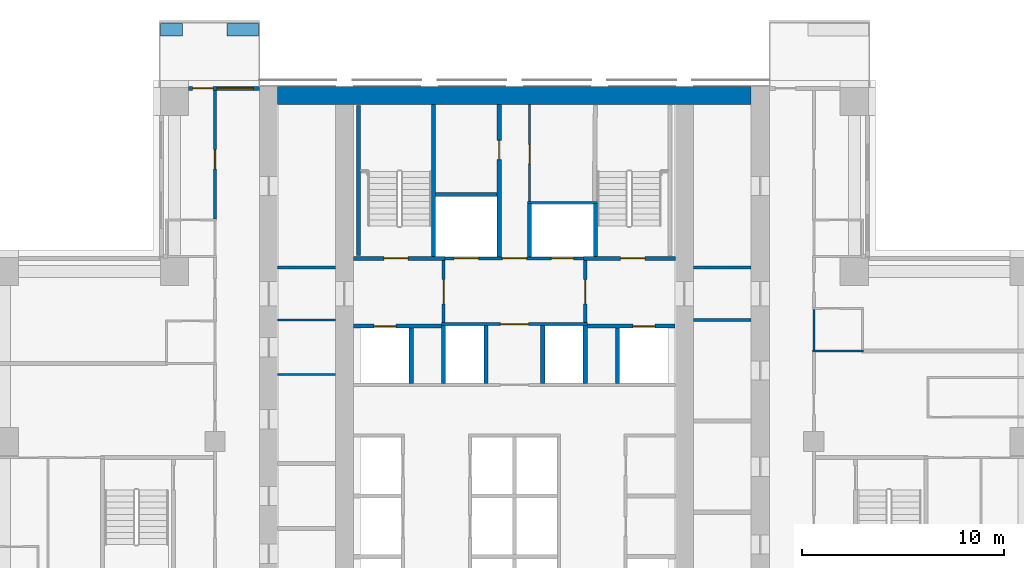
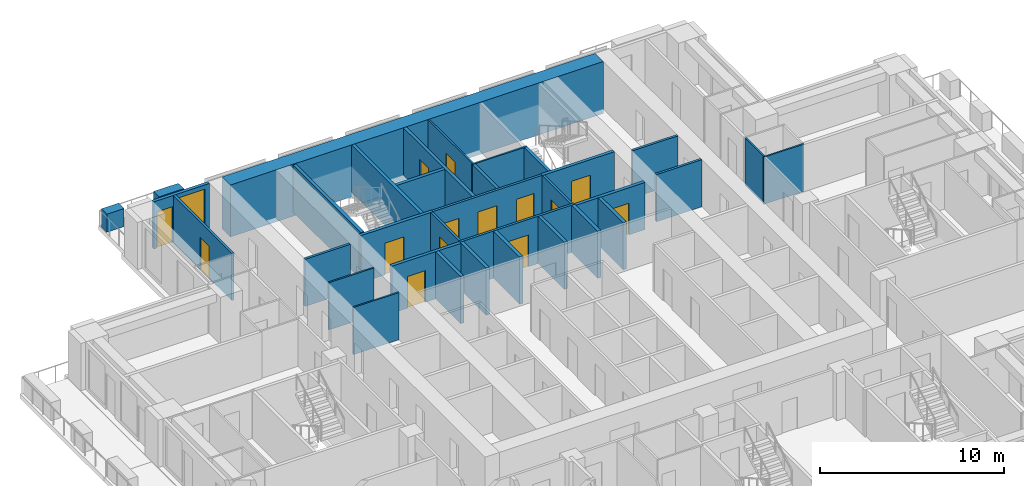
# One storey, part 11 of 17: 34 walls, 14 doors, 1 window, 15 openings.
"""IFC4 building model written with IfcOpenShell, lengths in metres."""

from ifc_helpers import new_model, si_unit, direction, frame, frame_2d, origin, place, context, subcontext, project, spatial, rectangle, extrude, material, layer, layer_set, type_object, element, fill, save


model = new_model("IFC4")

# Units and contexts
model_context = context("Model", 3, precision=1e-05, world=origin(), true_north=direction((0.0, 1.0)))
body_context = subcontext(model_context, "Body", "Model", "MODEL_VIEW")
ifc_project = project(units=[si_unit("LENGTHUNIT", "METRE"), si_unit("AREAUNIT", "SQUARE_METRE"), si_unit("VOLUMEUNIT", "CUBIC_METRE"), si_unit("PLANEANGLEUNIT", "RADIAN"), si_unit("MASSUNIT", "GRAM", prefix="KILO")], contexts=[model_context])

# Site, building, storey
site_placement = place(None, origin())
site = spatial("IfcSite", under=ifc_project, at=site_placement, CompositionType="ELEMENT")
building_placement = place(site_placement, origin())
building = spatial("IfcBuilding", under=site, at=building_placement, Name="Vermilion Ogive Tower", CompositionType="ELEMENT")
storey_placement = place(building_placement, frame((0.0, 0.0, 58.64990234375)))
storey = spatial("IfcBuildingStorey", under=building, at=storey_placement, Name="L13", CompositionType="ELEMENT", Elevation=58.64990234375)

# Walls
ifc_material_1 = material(Name="Gypsum board partition on steel studs", Category="steel")
ifc_layer_1 = layer(ifc_material_1, 0.10009765625)
ifc_layer_set_1 = layer_set([ifc_layer_1], Name="Partition 100 bath")
wall_type_1 = type_object("IfcWallType", Name="Partition 100 bath", PredefinedType="PARTITIONING", material=ifc_layer_set_1)
wall_1_placement = place(storey_placement, frame((14.72509765625, 8.679931640625, 0.0), z_axis=(0.0, 0.0, 1.0), x_axis=(1.0, 0.0, 0.0)))
element("IfcWall", 1, at=wall_1_placement, inside=storey, type_object=wall_type_1, Name="L13-W-W031", PredefinedType="PARTITIONING", context=body_context, shape_type="SweptSolid", body=[
    extrude(rectangle(XDim=2.52490234375, YDim=0.10009765625, at=frame_2d((1.262451171875, 0.0))), origin(), (0.0, 0.0, 1.0), 3.130126953125),
])
wall_2_placement = place(storey_placement, frame((14.800048828125, 8.72998046875, 0.0), z_axis=(0.0, 0.0, 1.0), x_axis=(0.0, 1.0, 0.0)))
element("IfcWall", 2, at=wall_2_placement, inside=storey, type_object=wall_type_1, Name="L13-W-W072", PredefinedType="PARTITIONING", context=body_context, shape_type="SweptSolid", body=[
    extrude(rectangle(XDim=2.0, YDim=0.10009765625, at=frame_2d((1.0, 0.0))), origin(), (0.0, 0.0, 1.0), 3.130126953125),
])
wall_3_placement = place(storey_placement, frame((0.64990234375, 16.0, 0.0), z_axis=(0.0, 0.0, 1.0), x_axis=(1.0, 0.0, 0.0)))
element("IfcWall", 3, at=wall_3_placement, inside=storey, type_object=wall_type_1, Name="L13-CK-W-W020", PredefinedType="PARTITIONING", context=body_context, shape_type="SweptSolid", body=[
    extrude(rectangle(XDim=3.4501953125, YDim=0.10009765625, at=frame_2d((1.72509765625, 0.0))), origin(), (0.0, 0.0, 1.0), 3.130126953125),
])

# Wall, opening, door
wall_4_placement = place(storey_placement, frame((0.75, 16.050048828125, 0.0), z_axis=(0.0, 0.0, 1.0), x_axis=(0.0, 1.0, 0.0)))
wall_4 = element("IfcWall", 4, at=wall_4_placement, inside=storey, type_object=wall_type_1, Name="L13-CK-W-W032", PredefinedType="PARTITIONING", context=body_context, shape_type="SweptSolid", body=[
    extrude(rectangle(XDim=4.799072265625, YDim=0.10009765625, at=frame_2d((2.3994140625, 0.0))), origin(), (0.0, 0.0, 1.0), 3.130126953125),
])
opening_1_placement = place(wall_4_placement, frame((1.875, 0.0, 0.0)))
opening_1 = element("IfcOpeningElement", 5, at=opening_1_placement, cuts=wall_4, Name="Opening DAA076", PredefinedType="OPENING", context=body_context, shape_type="SweptSolid", body=[
    extrude(rectangle(XDim=0.949951171875, YDim=2.10009765625, at=frame_2d((0.47509765625, 1.050048828125))), frame((0.0, 0.06005859375, 0.0), z_axis=(0.0, -1.0, 0.0), x_axis=(1.0, 0.0, 0.0)), (0.0, 0.0, 1.0), 0.1201171875),
])
ifc_material_2 = material(Name="Timber door leaf", Category="wood")
door_type_1 = type_object("IfcDoorType", Name="Service door 950 x 2100 FD60", OperationType="SINGLE_SWING_LEFT", PredefinedType="DOOR", material=ifc_material_2)
door_1_placement = place(opening_1_placement, origin())
door_1 = element("IfcDoor", 6, at=door_1_placement, inside=storey, type_object=door_type_1, Name="L13-CK-D-D021", OperationType="SINGLE_SWING_LEFT", OverallHeight=2.10009765625, OverallWidth=0.949951171875, PredefinedType="DOOR", context=body_context, shape_type="SweptSolid", body=[
    extrude(rectangle(XDim=0.949951171875, YDim=2.10009765625, at=frame_2d((0.47509765625, 1.050048828125))), frame((0.0, 0.02490234375, 0.0), z_axis=(0.0, -1.0, 0.0), x_axis=(1.0, 0.0, 0.0)), (0.0, 0.0, 1.0), 0.050048828125),
])
fill(opening_1, door_1)

# Walls
for number, where, z_axis, x_axis, name in (
    (7, (-11.698974609375, 7.5, 0.0), (0.0, 0.0, 1.0), (1.0, 0.0, 0.0), "L13-CKW-W-W004"),
    (8, (-11.698974609375, 10.199951171875, 0.0), (0.0, 0.0, 1.0), (1.0, 0.0, 0.0), "L13-CKW-W-W005"),
):
    element("IfcWall", number, at=place(storey_placement, frame(where, z_axis=z_axis, x_axis=x_axis)), inside=storey, type_object=wall_type_1, Name=name, PredefinedType="PARTITIONING", context=body_context, shape_type="SweptSolid", body=[
        extrude(rectangle(XDim=2.847900390625, YDim=0.10009765625, at=frame_2d((1.423828125, 0.0))), origin(), (0.0, 0.0, 1.0), 3.130126953125),
    ])

# Wall, opening, door
ifc_material_3 = material(Name="Gypsum board partition on steel studs", Category="steel")
ifc_layer_2 = layer(ifc_material_3, 0.14990234375)
ifc_layer_set_2 = layer_set([ifc_layer_2], Name="Partition 150 corridor")
wall_type_2 = type_object("IfcWallType", Name="Partition 150 corridor", PredefinedType="PARTITIONING", material=ifc_layer_set_2)
wall_5_placement = place(storey_placement, frame((-14.800048828125, 15.199951171875, 0.0), z_axis=(0.0, 0.0, 1.0), x_axis=(0.0, 1.0, 0.0)))
wall_5 = element("IfcWall", 9, at=wall_5_placement, inside=storey, type_object=wall_type_2, Name="L13-W-W053", PredefinedType="PARTITIONING", context=body_context, shape_type="SweptSolid", body=[
    extrude(rectangle(XDim=6.35009765625, YDim=0.14990234375, at=frame_2d((3.175048828125, 0.0))), origin(), (0.0, 0.0, 1.0), 3.130126953125),
])
opening_2_placement = place(wall_5_placement, frame((2.47509765625, 0.0, 0.0)))
opening_2 = element("IfcOpeningElement", 10, at=opening_2_placement, cuts=wall_5, Name="Opening D1G4010", PredefinedType="OPENING", context=body_context, shape_type="SweptSolid", body=[
    extrude(rectangle(XDim=0.949951171875, YDim=2.10009765625, at=frame_2d((0.47509765625, 1.050048828125))), frame((0.0, 0.0849609375, 0.0), z_axis=(0.0, -1.0, 0.0), x_axis=(1.0, 0.0, 0.0)), (0.0, 0.0, 1.0), 0.169921875),
])
ifc_material_4 = material(Name="Timber door leaf", Category="wood")
door_type_2 = type_object("IfcDoorType", Name="Unit door 950 x 2100 FD30S", OperationType="SINGLE_SWING_LEFT", PredefinedType="DOOR", material=ifc_material_4)
door_2_placement = place(opening_2_placement, origin())
door_2 = element("IfcDoor", 11, at=door_2_placement, inside=storey, type_object=door_type_2, Name="L13-D-D010", OperationType="SINGLE_SWING_RIGHT", OverallHeight=2.10009765625, OverallWidth=0.949951171875, PredefinedType="DOOR", context=body_context, shape_type="SweptSolid", body=[
    extrude(rectangle(XDim=0.949951171875, YDim=2.10009765625, at=frame_2d((0.47509765625, 1.050048828125))), frame((0.0, 0.02490234375, 0.0), z_axis=(0.0, -1.0, 0.0), x_axis=(1.0, 0.0, 0.0)), (0.0, 0.0, 1.0), 0.050048828125),
])
fill(opening_2, door_2)

wall_6_placement = place(storey_placement, frame((-3.60009765625, 10.0, 0.0), z_axis=(0.0, 0.0, 1.0), x_axis=(1.0, 0.0, 0.0)))
wall_6 = element("IfcWall", 12, at=wall_6_placement, inside=storey, type_object=wall_type_2, Name="L13-CK-W-W016", PredefinedType="PARTITIONING", context=body_context, shape_type="SweptSolid", body=[
    extrude(rectangle(XDim=7.2001953125, YDim=0.14990234375, at=frame_2d((3.60009765625, 0.0))), origin(), (0.0, 0.0, 1.0), 3.130126953125),
])
opening_3_placement = place(wall_6_placement, frame((2.900146484375, 0.0, 0.0)))
opening_3 = element("IfcOpeningElement", 13, at=opening_3_placement, cuts=wall_6, Name="Opening DAA071", PredefinedType="OPENING", context=body_context, shape_type="SweptSolid", body=[
    extrude(rectangle(XDim=1.39990234375, YDim=2.10009765625, at=frame_2d((0.699951171875, 1.050048828125))), frame((0.0, 0.0849609375, 0.0), z_axis=(0.0, -1.0, 0.0), x_axis=(1.0, 0.0, 0.0)), (0.0, 0.0, 1.0), 0.169921875),
])
ifc_material_5 = material(Name="Timber door leaf", Category="wood")
door_type_3 = type_object("IfcDoorType", Name="Lobby door 1400 x 2100 FD60S", OperationType="SINGLE_SWING_LEFT", PredefinedType="DOOR", material=ifc_material_5)
door_3_placement = place(opening_3_placement, origin())
door_3 = element("IfcDoor", 14, at=door_3_placement, inside=storey, type_object=door_type_3, Name="L13-CK-D-D016", OperationType="SINGLE_SWING_RIGHT", OverallHeight=2.10009765625, OverallWidth=1.39990234375, PredefinedType="DOOR", context=body_context, shape_type="SweptSolid", body=[
    extrude(rectangle(XDim=1.39990234375, YDim=2.10009765625, at=frame_2d((0.699951171875, 1.050048828125))), frame((0.0, 0.02490234375, 0.0), z_axis=(0.0, -1.0, 0.0), x_axis=(1.0, 0.0, 0.0)), (0.0, 0.0, 1.0), 0.050048828125),
])
fill(opening_3, door_3)

# Wall, openings, doors
wall_7_placement = place(storey_placement, frame((-3.574951171875, 13.25, 0.0), z_axis=(0.0, 0.0, 1.0), x_axis=(1.0, 0.0, 0.0)))
wall_7 = element("IfcWall", 15, at=wall_7_placement, inside=storey, type_object=wall_type_2, Name="L13-CK-W-W018", PredefinedType="PARTITIONING", context=body_context, shape_type="SweptSolid", body=[
    extrude(rectangle(XDim=7.14990234375, YDim=0.14990234375, at=frame_2d((3.574951171875, 0.0))), origin(), (0.0, 0.0, 1.0), 3.130126953125),
])
opening_4_placement = place(wall_7_placement, frame((0.599853515625, 0.0, 0.0)))
opening_4 = element("IfcOpeningElement", 16, at=opening_4_placement, cuts=wall_7, Name="Opening DAA090", PredefinedType="OPENING", context=body_context, shape_type="SweptSolid", body=[
    extrude(rectangle(XDim=1.199951171875, YDim=2.10009765625, at=frame_2d((0.60009765625, 1.050048828125))), frame((0.0, 0.0849609375, 0.0), z_axis=(0.0, -1.0, 0.0), x_axis=(1.0, 0.0, 0.0)), (0.0, 0.0, 1.0), 0.169921875),
])
opening_5_placement = place(wall_7_placement, frame((5.39990234375, 0.0, 0.0)))
opening_5 = element("IfcOpeningElement", 17, at=opening_5_placement, cuts=wall_7, Name="Opening DAA081", PredefinedType="OPENING", context=body_context, shape_type="SweptSolid", body=[
    extrude(rectangle(XDim=1.10009765625, YDim=2.10009765625, at=frame_2d((0.550048828125, 1.050048828125))), frame((0.0, 0.0849609375, 0.0), z_axis=(0.0, -1.0, 0.0), x_axis=(1.0, 0.0, 0.0)), (0.0, 0.0, 1.0), 0.169921875),
])
opening_6_placement = place(wall_7_placement, frame((2.974853515625, 0.0, 0.0)))
opening_6 = element("IfcOpeningElement", 18, at=opening_6_placement, cuts=wall_7, Name="Opening DAA072", PredefinedType="OPENING", context=body_context, shape_type="SweptSolid", body=[
    extrude(rectangle(XDim=1.199951171875, YDim=2.10009765625, at=frame_2d((0.60009765625, 1.050048828125))), frame((0.0, 0.0849609375, 0.0), z_axis=(0.0, -1.0, 0.0), x_axis=(1.0, 0.0, 0.0)), (0.0, 0.0, 1.0), 0.169921875),
])
ifc_material_6 = material(Name="Stainless steel", Category="steel")
door_type_4 = type_object("IfcDoorType", Name="Lift landing door 1100 x 2100", OperationType="SLIDING_TO_LEFT", PredefinedType="DOOR", material=ifc_material_6)
door_4_placement = place(opening_5_placement, origin())
door_4 = element("IfcDoor", 19, at=door_4_placement, inside=storey, type_object=door_type_4, Name="L13-CK-D-D018", OperationType="SLIDING_TO_LEFT", OverallHeight=2.10009765625, OverallWidth=1.10009765625, PredefinedType="DOOR", context=body_context, shape_type="SweptSolid", body=[
    extrude(rectangle(XDim=1.10009765625, YDim=2.10009765625, at=frame_2d((0.550048828125, 1.050048828125))), frame((0.0, 0.02490234375, 0.0), z_axis=(0.0, -1.0, 0.0), x_axis=(1.0, 0.0, 0.0)), (0.0, 0.0, 1.0), 0.050048828125),
])
fill(opening_5, door_4)
ifc_material_7 = material(Name="Stainless steel", Category="steel")
door_type_5 = type_object("IfcDoorType", Name="Lift landing door 1200 x 2100", OperationType="SLIDING_TO_LEFT", PredefinedType="DOOR", material=ifc_material_7)
door_5_placement = place(opening_4_placement, origin())
door_5 = element("IfcDoor", 20, at=door_5_placement, inside=storey, type_object=door_type_5, Name="L13-CK-D-D017", OperationType="SLIDING_TO_RIGHT", OverallHeight=2.10009765625, OverallWidth=1.199951171875, PredefinedType="DOOR", context=body_context, shape_type="SweptSolid", body=[
    extrude(rectangle(XDim=1.199951171875, YDim=2.10009765625, at=frame_2d((0.60009765625, 1.050048828125))), frame((0.0, 0.02490234375, 0.0), z_axis=(0.0, -1.0, 0.0), x_axis=(1.0, 0.0, 0.0)), (0.0, 0.0, 1.0), 0.050048828125),
])
fill(opening_4, door_5)
ifc_material_8 = material(Name="Timber door leaf", Category="wood")
door_type_6 = type_object("IfcDoorType", Name="Service door 1200 x 2100 FD60", OperationType="SINGLE_SWING_LEFT", PredefinedType="DOOR", material=ifc_material_8)
door_6_placement = place(opening_6_placement, origin())
door_6 = element("IfcDoor", 21, at=door_6_placement, inside=storey, type_object=door_type_6, Name="L13-CK-D-D019", OperationType="SINGLE_SWING_RIGHT", OverallHeight=2.10009765625, OverallWidth=1.199951171875, PredefinedType="DOOR", context=body_context, shape_type="SweptSolid", body=[
    extrude(rectangle(XDim=1.199951171875, YDim=2.10009765625, at=frame_2d((0.60009765625, 1.050048828125))), frame((0.0, 0.02490234375, 0.0), z_axis=(0.0, -1.0, 0.0), x_axis=(1.0, 0.0, 0.0)), (0.0, 0.0, 1.0), 0.050048828125),
])
fill(opening_6, door_6)

# Wall, opening, door
wall_8_placement = place(storey_placement, frame((-3.5, 10.074951171875, 0.0), z_axis=(0.0, 0.0, 1.0), x_axis=(0.0, 1.0, 0.0)))
wall_8 = element("IfcWall", 22, at=wall_8_placement, inside=storey, type_object=wall_type_2, Name="L13-CK-W-W026", PredefinedType="PARTITIONING", context=body_context, shape_type="SweptSolid", body=[
    extrude(rectangle(XDim=3.074951171875, YDim=0.14990234375, at=frame_2d((1.53759765625, 0.0))), origin(), (0.0, 0.0, 1.0), 3.130126953125),
])
opening_7_placement = place(wall_8_placement, frame((0.925048828125, 0.0, 0.0)))
opening_7 = element("IfcOpeningElement", 23, at=opening_7_placement, cuts=wall_8, Name="Opening DAA068", PredefinedType="OPENING", context=body_context, shape_type="SweptSolid", body=[
    extrude(rectangle(XDim=1.199951171875, YDim=2.10009765625, at=frame_2d((0.60009765625, 1.050048828125))), frame((0.0, 0.0849609375, 0.0), z_axis=(0.0, -1.0, 0.0), x_axis=(1.0, 0.0, 0.0)), (0.0, 0.0, 1.0), 0.169921875),
])
ifc_material_9 = material(Name="Timber door leaf", Category="wood")
door_type_7 = type_object("IfcDoorType", Name="Lobby door 1200 x 2100 FD60S", OperationType="SINGLE_SWING_LEFT", PredefinedType="DOOR", material=ifc_material_9)
door_7_placement = place(opening_7_placement, origin())
door_7 = element("IfcDoor", 24, at=door_7_placement, inside=storey, type_object=door_type_7, Name="L13-CK-D-D022", OperationType="SINGLE_SWING_RIGHT", OverallHeight=2.10009765625, OverallWidth=1.199951171875, PredefinedType="DOOR", context=body_context, shape_type="SweptSolid", body=[
    extrude(rectangle(XDim=1.199951171875, YDim=2.10009765625, at=frame_2d((0.60009765625, 1.050048828125))), frame((0.0, 0.02490234375, 0.0), z_axis=(0.0, -1.0, 0.0), x_axis=(1.0, 0.0, 0.0)), (0.0, 0.0, 1.0), 0.050048828125),
])
fill(opening_7, door_7)

wall_9_placement = place(storey_placement, frame((3.5, 10.074951171875, 0.0), z_axis=(0.0, 0.0, 1.0), x_axis=(0.0, 1.0, 0.0)))
wall_9 = element("IfcWall", 25, at=wall_9_placement, inside=storey, type_object=wall_type_2, Name="L13-CK-W-W036", PredefinedType="PARTITIONING", context=body_context, shape_type="SweptSolid", body=[
    extrude(rectangle(XDim=3.074951171875, YDim=0.14990234375, at=frame_2d((1.53759765625, 0.0))), origin(), (0.0, 0.0, 1.0), 3.130126953125),
])
opening_8_placement = place(wall_9_placement, frame((0.925048828125, 0.0, 0.0)))
opening_8 = element("IfcOpeningElement", 26, at=opening_8_placement, cuts=wall_9, Name="Opening DAA069", PredefinedType="OPENING", context=body_context, shape_type="SweptSolid", body=[
    extrude(rectangle(XDim=1.199951171875, YDim=2.10009765625, at=frame_2d((0.60009765625, 1.050048828125))), frame((0.0, 0.0849609375, 0.0), z_axis=(0.0, -1.0, 0.0), x_axis=(1.0, 0.0, 0.0)), (0.0, 0.0, 1.0), 0.169921875),
])
door_8_placement = place(opening_8_placement, origin())
door_8 = element("IfcDoor", 27, at=door_8_placement, inside=storey, type_object=door_type_7, Name="L13-CK-D-D023", OperationType="SINGLE_SWING_LEFT", OverallHeight=2.10009765625, OverallWidth=1.199951171875, PredefinedType="DOOR", context=body_context, shape_type="SweptSolid", body=[
    extrude(rectangle(XDim=1.199951171875, YDim=2.10009765625, at=frame_2d((0.60009765625, 1.050048828125))), frame((0.0, 0.02490234375, 0.0), z_axis=(0.0, -1.0, 0.0), x_axis=(1.0, 0.0, 0.0)), (0.0, 0.0, 1.0), 0.050048828125),
])
fill(opening_8, door_8)

# Walls
for number, where, z_axis, x_axis, name in (
    (28, (-11.698974609375, 12.800048828125, 0.0), (0.0, 0.0, 1.0), (1.0, 0.0, 0.0), "L13-CKW-W-W006"),
    (29, (8.85107421875, 10.199951171875, 0.0), (0.0, 0.0, 1.0), (1.0, 0.0, 0.0), "L13-CKE-W-W004"),
    (30, (8.85107421875, 12.800048828125, 0.0), (0.0, 0.0, 1.0), (1.0, 0.0, 0.0), "L13-CKE-W-W005"),
):
    element("IfcWall", number, at=place(storey_placement, frame(where, z_axis=z_axis, x_axis=x_axis)), inside=storey, type_object=wall_type_2, Name=name, PredefinedType="PARTITIONING", context=body_context, shape_type="SweptSolid", body=[
        extrude(rectangle(XDim=2.847900390625, YDim=0.14990234375, at=frame_2d((1.423828125, 0.0))), origin(), (0.0, 0.0, 1.0), 3.130126953125),
    ])

# Wall, opening, door
ifc_material_10 = material(Name="Gypsum board partition on steel studs", Category="steel")
ifc_layer_3 = layer(ifc_material_10, 0.199951171875)
ifc_layer_set_3 = layer_set([ifc_layer_3], Name="Partition 200 party")
wall_type_3 = type_object("IfcWallType", Name="Partition 200 party", PredefinedType="PARTITIONING", material=ifc_layer_set_3)
wall_10_placement = place(storey_placement, frame((-7.948974609375, 9.89990234375, 0.0), z_axis=(0.0, 0.0, 1.0), x_axis=(1.0, 0.0, 0.0)))
wall_10 = element("IfcWall", 31, at=wall_10_placement, inside=storey, type_object=wall_type_3, Name="L13-CK-W-W014", PredefinedType="PARTITIONING", context=body_context, shape_type="SweptSolid", body=[
    extrude(rectangle(XDim=4.348876953125, YDim=0.199951171875, at=frame_2d((2.17431640625, 0.0))), origin(), (0.0, 0.0, 1.0), 3.130126953125),
])
opening_9_placement = place(wall_10_placement, frame((0.9990234375, 0.0, 0.0)))
opening_9 = element("IfcOpeningElement", 32, at=opening_9_placement, cuts=wall_10, Name="Opening DAA089", PredefinedType="OPENING", context=body_context, shape_type="SweptSolid", body=[
    extrude(rectangle(XDim=1.10009765625, YDim=2.10009765625, at=frame_2d((0.550048828125, 1.050048828125))), frame((0.0, 0.10986328125, 0.0), z_axis=(0.0, -1.0, 0.0), x_axis=(1.0, 0.0, 0.0)), (0.0, 0.0, 1.0), 0.219970703125),
])
door_9_placement = place(opening_9_placement, origin())
door_9 = element("IfcDoor", 33, at=door_9_placement, inside=storey, type_object=door_type_4, Name="L13-CK-D-D012", OperationType="SLIDING_TO_RIGHT", OverallHeight=2.10009765625, OverallWidth=1.10009765625, PredefinedType="DOOR", context=body_context, shape_type="SweptSolid", body=[
    extrude(rectangle(XDim=1.10009765625, YDim=2.10009765625, at=frame_2d((0.550048828125, 1.050048828125))), frame((0.0, 0.02490234375, 0.0), z_axis=(0.0, -1.0, 0.0), x_axis=(1.0, 0.0, 0.0)), (0.0, 0.0, 1.0), 0.050048828125),
])
fill(opening_9, door_9)

wall_11_placement = place(storey_placement, frame((3.60009765625, 9.89990234375, 0.0), z_axis=(0.0, 0.0, 1.0), x_axis=(1.0, 0.0, 0.0)))
wall_11 = element("IfcWall", 34, at=wall_11_placement, inside=storey, type_object=wall_type_3, Name="L13-CK-W-W015", PredefinedType="PARTITIONING", context=body_context, shape_type="SweptSolid", body=[
    extrude(rectangle(XDim=4.348876953125, YDim=0.199951171875, at=frame_2d((2.17431640625, 0.0))), origin(), (0.0, 0.0, 1.0), 3.130126953125),
])
opening_10_placement = place(wall_11_placement, frame((2.25, 0.0, 0.0)))
opening_10 = element("IfcOpeningElement", 35, at=opening_10_placement, cuts=wall_11, Name="Opening DAA080", PredefinedType="OPENING", context=body_context, shape_type="SweptSolid", body=[
    extrude(rectangle(XDim=1.10009765625, YDim=2.10009765625, at=frame_2d((0.550048828125, 1.050048828125))), frame((0.0, 0.10986328125, 0.0), z_axis=(0.0, -1.0, 0.0), x_axis=(1.0, 0.0, 0.0)), (0.0, 0.0, 1.0), 0.219970703125),
])
door_10_placement = place(opening_10_placement, origin())
door_10 = element("IfcDoor", 36, at=door_10_placement, inside=storey, type_object=door_type_4, Name="L13-CK-D-D014", OperationType="SLIDING_TO_LEFT", OverallHeight=2.10009765625, OverallWidth=1.10009765625, PredefinedType="DOOR", context=body_context, shape_type="SweptSolid", body=[
    extrude(rectangle(XDim=1.10009765625, YDim=2.10009765625, at=frame_2d((0.550048828125, 1.050048828125))), frame((0.0, 0.02490234375, 0.0), z_axis=(0.0, -1.0, 0.0), x_axis=(1.0, 0.0, 0.0)), (0.0, 0.0, 1.0), 0.050048828125),
])
fill(opening_10, door_10)

# Walls
wall_12_placement = place(storey_placement, frame((-3.89990234375, 16.39990234375, 0.0), z_axis=(0.0, 0.0, 1.0), x_axis=(1.0, 0.0, 0.0)))
element("IfcWall", 37, at=wall_12_placement, inside=storey, type_object=wall_type_3, Name="L13-CK-W-W021", PredefinedType="PARTITIONING", context=body_context, shape_type="SweptSolid", body=[
    extrude(rectangle(XDim=3.0498046875, YDim=0.199951171875, at=frame_2d((1.52490234375, 0.0))), origin(), (0.0, 0.0, 1.0), 3.130126953125),
])
wall_13_placement = place(storey_placement, frame((-5.10009765625, 7.074951171875, 0.0), z_axis=(0.0, 0.0, 1.0), x_axis=(0.0, 1.0, 0.0)))
element("IfcWall", 38, at=wall_13_placement, inside=storey, type_object=wall_type_3, Name="L13-CK-W-W023", PredefinedType="PARTITIONING", context=body_context, shape_type="SweptSolid", body=[
    extrude(rectangle(XDim=2.72509765625, YDim=0.199951171875, at=frame_2d((1.362548828125, 0.0))), origin(), (0.0, 0.0, 1.0), 3.130126953125),
])
for number, where, z_axis, x_axis, name in (
    (39, (-3.5, 7.074951171875, 0.0), (0.0, 0.0, 1.0), (0.0, 1.0, 0.0), "L13-CK-W-W025"),
    (40, (-1.39990234375, 7.074951171875, 0.0), (0.0, 0.0, 1.0), (0.0, 1.0, 0.0), "L13-CK-W-W028"),
):
    element("IfcWall", number, at=place(storey_placement, frame(where, z_axis=z_axis, x_axis=x_axis)), inside=storey, type_object=wall_type_3, Name=name, PredefinedType="PARTITIONING", context=body_context, shape_type="SweptSolid", body=[
        extrude(rectangle(XDim=2.85009765625, YDim=0.199951171875, at=frame_2d((1.425048828125, 0.0))), origin(), (0.0, 0.0, 1.0), 3.130126953125),
    ])

# Wall, opening, door
wall_14_placement = place(storey_placement, frame((-0.75, 13.324951171875, 0.0), z_axis=(0.0, 0.0, 1.0), x_axis=(0.0, 1.0, 0.0)))
wall_14 = element("IfcWall", 41, at=wall_14_placement, inside=storey, type_object=wall_type_3, Name="L13-CK-W-W029", PredefinedType="PARTITIONING", context=body_context, shape_type="SweptSolid", body=[
    extrude(rectangle(XDim=7.524169921875, YDim=0.199951171875, at=frame_2d((3.76220703125, 0.0))), origin(), (0.0, 0.0, 1.0), 3.130126953125),
])
opening_11_placement = place(wall_14_placement, frame((4.800048828125, 0.0, 0.0)))
opening_11 = element("IfcOpeningElement", 42, at=opening_11_placement, cuts=wall_14, Name="Opening DAA075", PredefinedType="OPENING", context=body_context, shape_type="SweptSolid", body=[
    extrude(rectangle(XDim=0.949951171875, YDim=2.10009765625, at=frame_2d((0.47509765625, 1.050048828125))), frame((0.0, 0.10986328125, 0.0), z_axis=(0.0, -1.0, 0.0), x_axis=(1.0, 0.0, 0.0)), (0.0, 0.0, 1.0), 0.219970703125),
])
door_11_placement = place(opening_11_placement, origin())
door_11 = element("IfcDoor", 43, at=door_11_placement, inside=storey, type_object=door_type_1, Name="L13-CK-D-D020", OperationType="SINGLE_SWING_RIGHT", OverallHeight=2.10009765625, OverallWidth=0.949951171875, PredefinedType="DOOR", context=body_context, shape_type="SweptSolid", body=[
    extrude(rectangle(XDim=0.949951171875, YDim=2.10009765625, at=frame_2d((0.47509765625, 1.050048828125))), frame((0.0, 0.02490234375, 0.0), z_axis=(0.0, -1.0, 0.0), x_axis=(1.0, 0.0, 0.0)), (0.0, 0.0, 1.0), 0.050048828125),
])
fill(opening_11, door_11)

# Walls
wall_15_placement = place(storey_placement, frame((0.75, 13.324951171875, 0.0), z_axis=(0.0, 0.0, 1.0), x_axis=(0.0, 1.0, 0.0)))
element("IfcWall", 44, at=wall_15_placement, inside=storey, type_object=wall_type_3, Name="L13-CK-W-W031", PredefinedType="PARTITIONING", context=body_context, shape_type="SweptSolid", body=[
    extrude(rectangle(XDim=2.625, YDim=0.199951171875, at=frame_2d((1.3125, 0.0))), origin(), (0.0, 0.0, 1.0), 3.130126953125),
])
for number, where, z_axis, x_axis, name in (
    (45, (1.39990234375, 7.074951171875, 0.0), (0.0, 0.0, 1.0), (0.0, 1.0, 0.0), "L13-CK-W-W033"),
    (46, (3.5, 7.074951171875, 0.0), (0.0, 0.0, 1.0), (0.0, 1.0, 0.0), "L13-CK-W-W035"),
):
    element("IfcWall", number, at=place(storey_placement, frame(where, z_axis=z_axis, x_axis=x_axis)), inside=storey, type_object=wall_type_3, Name=name, PredefinedType="PARTITIONING", context=body_context, shape_type="SweptSolid", body=[
        extrude(rectangle(XDim=2.85009765625, YDim=0.199951171875, at=frame_2d((1.425048828125, 0.0))), origin(), (0.0, 0.0, 1.0), 3.130126953125),
    ])
wall_16_placement = place(storey_placement, frame((5.10009765625, 7.074951171875, 0.0), z_axis=(0.0, 0.0, 1.0), x_axis=(0.0, 1.0, 0.0)))
element("IfcWall", 47, at=wall_16_placement, inside=storey, type_object=wall_type_3, Name="L13-CK-W-W039", PredefinedType="PARTITIONING", context=body_context, shape_type="SweptSolid", body=[
    extrude(rectangle(XDim=2.72509765625, YDim=0.199951171875, at=frame_2d((1.362548828125, 0.0))), origin(), (0.0, 0.0, 1.0), 3.130126953125),
])
ifc_material_11 = material(Name="Concrete B60", Category="concrete")
ifc_layer_4 = layer(ifc_material_11, 0.199951171875)
ifc_layer_set_4 = layer_set([ifc_layer_4], Name="Stair shaft wall 200 Concrete B60")
wall_type_4 = type_object("IfcWallType", Name="Stair shaft wall 200 Concrete B60", PredefinedType="SOLIDWALL", material=ifc_layer_set_4)
wall_17_placement = place(storey_placement, frame((-11.699951171875, 21.300048828125, -0.31982421875), z_axis=(0.0, 0.0, 1.0), x_axis=(1.0, 0.0, 0.0)))
element("IfcWall", 48, at=wall_17_placement, inside=storey, type_object=wall_type_4, Name="L13-CORE-N", PredefinedType="SOLIDWALL", context=body_context, shape_type="SweptSolid", body=[
    extrude(rectangle(XDim=23.39990234375, YDim=0.89990234375, at=frame_2d((11.699951171875, 0.0))), origin(), (0.0, 0.0, 1.0), 3.449951171875),
])

# Wall, opening, door
wall_18_placement = place(storey_placement, frame((-7.948974609375, 13.25, 0.0), z_axis=(0.0, 0.0, 1.0), x_axis=(1.0, 0.0, 0.0)))
wall_18 = element("IfcWall", 49, at=wall_18_placement, inside=storey, type_object=wall_type_4, Name="L13-CK-W-W017", PredefinedType="SOLIDWALL", context=body_context, shape_type="SweptSolid", body=[
    extrude(rectangle(XDim=4.52392578125, YDim=0.199951171875, at=frame_2d((2.261962890625, 0.0))), origin(), (0.0, 0.0, 1.0), 3.130126953125),
])
opening_12_placement = place(wall_18_placement, frame((1.4990234375, 0.0, 0.0)))
opening_12 = element("IfcOpeningElement", 50, at=opening_12_placement, cuts=wall_18, Name="Opening DAA077", PredefinedType="OPENING", context=body_context, shape_type="SweptSolid", body=[
    extrude(rectangle(XDim=1.199951171875, YDim=2.10009765625, at=frame_2d((0.60009765625, 1.050048828125))), frame((0.0, 0.10986328125, 0.0), z_axis=(0.0, -1.0, 0.0), x_axis=(1.0, 0.0, 0.0)), (0.0, 0.0, 1.0), 0.219970703125),
])
ifc_material_12 = material(Name="Timber door leaf", Category="wood")
door_type_8 = type_object("IfcDoorType", Name="Stair door 1200 x 2100 FD60S", OperationType="SINGLE_SWING_LEFT", PredefinedType="DOOR", material=ifc_material_12)
door_12_placement = place(opening_12_placement, origin())
door_12 = element("IfcDoor", 51, at=door_12_placement, inside=storey, type_object=door_type_8, Name="L13-CK-D-D011", OperationType="SINGLE_SWING_LEFT", OverallHeight=2.10009765625, OverallWidth=1.199951171875, PredefinedType="DOOR", context=body_context, shape_type="SweptSolid", body=[
    extrude(rectangle(XDim=1.199951171875, YDim=2.10009765625, at=frame_2d((0.60009765625, 1.050048828125))), frame((0.0, 0.02490234375, 0.0), z_axis=(0.0, -1.0, 0.0), x_axis=(1.0, 0.0, 0.0)), (0.0, 0.0, 1.0), 0.050048828125),
])
fill(opening_12, door_12)

wall_19_placement = place(storey_placement, frame((3.425048828125, 13.25, 0.0), z_axis=(0.0, 0.0, 1.0), x_axis=(1.0, 0.0, 0.0)))
wall_19 = element("IfcWall", 52, at=wall_19_placement, inside=storey, type_object=wall_type_4, Name="L13-CK-W-W019", PredefinedType="SOLIDWALL", context=body_context, shape_type="SweptSolid", body=[
    extrude(rectangle(XDim=4.52392578125, YDim=0.199951171875, at=frame_2d((2.261962890625, 0.0))), origin(), (0.0, 0.0, 1.0), 3.130126953125),
])
opening_13_placement = place(wall_19_placement, frame((1.824951171875, 0.0, 0.0)))
opening_13 = element("IfcOpeningElement", 53, at=opening_13_placement, cuts=wall_19, Name="Opening DAA078", PredefinedType="OPENING", context=body_context, shape_type="SweptSolid", body=[
    extrude(rectangle(XDim=1.199951171875, YDim=2.10009765625, at=frame_2d((0.60009765625, 1.050048828125))), frame((0.0, 0.10986328125, 0.0), z_axis=(0.0, -1.0, 0.0), x_axis=(1.0, 0.0, 0.0)), (0.0, 0.0, 1.0), 0.219970703125),
])
door_13_placement = place(opening_13_placement, origin())
door_13 = element("IfcDoor", 54, at=door_13_placement, inside=storey, type_object=door_type_8, Name="L13-CK-D-D013", OperationType="SINGLE_SWING_RIGHT", OverallHeight=2.10009765625, OverallWidth=1.199951171875, PredefinedType="DOOR", context=body_context, shape_type="SweptSolid", body=[
    extrude(rectangle(XDim=1.199951171875, YDim=2.10009765625, at=frame_2d((0.60009765625, 1.050048828125))), frame((0.0, 0.02490234375, 0.0), z_axis=(0.0, -1.0, 0.0), x_axis=(1.0, 0.0, 0.0)), (0.0, 0.0, 1.0), 0.050048828125),
])
fill(opening_13, door_13)

# Walls
wall_20_placement = place(storey_placement, frame((-4.0, 13.35009765625, 0.0), z_axis=(0.0, 0.0, 1.0), x_axis=(0.0, 1.0, 0.0)))
element("IfcWall", 55, at=wall_20_placement, inside=storey, type_object=wall_type_4, Name="L13-CK-W-W024", PredefinedType="SOLIDWALL", context=body_context, shape_type="SweptSolid", body=[
    extrude(rectangle(XDim=7.4990234375, YDim=0.199951171875, at=frame_2d((3.74951171875, 0.0))), origin(), (0.0, 0.0, 1.0), 3.130126953125),
])
wall_21_placement = place(storey_placement, frame((4.0, 13.35009765625, 0.0), z_axis=(0.0, 0.0, 1.0), x_axis=(0.0, 1.0, 0.0)))
element("IfcWall", 56, at=wall_21_placement, inside=storey, type_object=wall_type_4, Name="L13-CK-W-W037", PredefinedType="SOLIDWALL", context=body_context, shape_type="SweptSolid", body=[
    extrude(rectangle(XDim=2.599853515625, YDim=0.199951171875, at=frame_2d((1.2998046875, 0.0))), origin(), (0.0, 0.0, 1.0), 3.130126953125),
])
wall_22_placement = place(storey_placement, frame((-7.699951171875, 13.39990234375, 0.0), z_axis=(0.0, 0.0, 1.0), x_axis=(0.0, 1.0, 0.0)))
element("IfcWall", 57, at=wall_22_placement, inside=storey, type_object=wall_type_4, Name="L13-SW-R022-W1", PredefinedType="SOLIDWALL", context=body_context, shape_type="SweptSolid", body=[
    extrude(rectangle(XDim=7.400146484375, YDim=0.199951171875, at=frame_2d((3.7001953125, 0.0))), origin(), (0.0, 0.0, 1.0), 3.130126953125),
])
ifc_material_13 = material(Name="Concrete B40", Category="concrete")
ifc_layer_5 = layer(ifc_material_13, 0.60009765625)
ifc_layer_set_5 = layer_set([ifc_layer_5], Name="Structural planter")
wall_type_5 = type_object("IfcWallType", Name="Structural planter", PredefinedType="USERDEFINED", material=ifc_layer_set_5)
wall_23_placement = place(storey_placement, frame((-12.659912109375, 24.550048828125, -0.039794921875), z_axis=(0.0, 0.0, 1.0), x_axis=(-1.0, 0.0, 0.0)))
element("IfcWall", 58, at=wall_23_placement, inside=storey, type_object=wall_type_5, Name="Planter N201A1", ObjectType="PLANTER", PredefinedType="USERDEFINED", context=body_context, shape_type="SweptSolid", body=[
    extrude(rectangle(XDim=1.5400390625, YDim=0.60009765625, at=frame_2d((0.77001953125, 0.0))), origin(), (0.0, 0.0, 1.0), 1.199951171875),
])
wall_24_placement = place(storey_placement, frame((-16.39990234375, 24.550048828125, -0.039794921875), z_axis=(0.0, 0.0, 1.0), x_axis=(-1.0, 0.0, 0.0)))
element("IfcWall", 59, at=wall_24_placement, inside=storey, type_object=wall_type_5, Name="Planter N201A2", ObjectType="PLANTER", PredefinedType="USERDEFINED", context=body_context, shape_type="SweptSolid", body=[
    extrude(rectangle(XDim=1.090087890625, YDim=0.60009765625, at=frame_2d((0.544921875, 0.0))), origin(), (0.0, 0.0, 1.0), 1.199951171875),
])

# Wall, openings, door, window
ifc_material_14 = material(Name="Aluminium window wall framing", Category="aluminium")
ifc_layer_6 = layer(ifc_material_14, 0.199951171875)
ifc_layer_set_6 = layer_set([ifc_layer_6], Name="Window wall")
wall_type_6 = type_object("IfcWallType", Name="Window wall", PredefinedType="STANDARD", material=ifc_layer_set_6)
wall_25_placement = place(storey_placement, frame((-12.60009765625, 21.64990234375, 0.0), z_axis=(0.0, 0.0, 1.0), x_axis=(-1.0, 0.0, 0.0)))
wall_25 = element("IfcWall", 60, at=wall_25_placement, inside=storey, type_object=wall_type_6, Name="Window wall N21", PredefinedType="STANDARD", context=body_context, shape_type="SweptSolid", body=[
    extrude(rectangle(XDim=3.5, YDim=0.199951171875, at=frame_2d((1.75, 0.0))), origin(), (0.0, 0.0, 1.0), 3.130126953125),
])
opening_14_placement = place(wall_25_placement, frame((0.300048828125, 0.0, 0.199951171875)))
opening_14 = element("IfcOpeningElement", 61, at=opening_14_placement, cuts=wall_25, Name="Opening W1-N296", PredefinedType="OPENING", context=body_context, shape_type="SweptSolid", body=[
    extrude(rectangle(XDim=1.800048828125, YDim=2.64990234375, at=frame_2d((0.89990234375, 1.324951171875))), frame((0.0, 0.10986328125, 0.0), z_axis=(0.0, -1.0, 0.0), x_axis=(1.0, 0.0, 0.0)), (0.0, 0.0, 1.0), 0.219970703125),
])
opening_15_placement = place(wall_25_placement, frame((2.300048828125, 0.0, 0.0)))
opening_15 = element("IfcOpeningElement", 62, at=opening_15_placement, cuts=wall_25, Name="Opening D1-N296", PredefinedType="OPENING", context=body_context, shape_type="SweptSolid", body=[
    extrude(rectangle(XDim=1.0, YDim=2.39990234375, at=frame_2d((0.5, 1.199951171875))), frame((0.0, 0.10986328125, 0.0), z_axis=(0.0, -1.0, 0.0), x_axis=(1.0, 0.0, 0.0)), (0.0, 0.0, 1.0), 0.219970703125),
])
ifc_material_15 = material(Name="Aluminium framed glazed door", Category="aluminium")
door_type_9 = type_object("IfcDoorType", Name="Balcony door D1", OperationType="SINGLE_SWING_LEFT", PredefinedType="DOOR", material=ifc_material_15)
door_14_placement = place(opening_15_placement, origin())
door_14 = element("IfcDoor", 63, at=door_14_placement, inside=storey, type_object=door_type_9, Name="Balcony door N296", OperationType="SINGLE_SWING_LEFT", OverallHeight=2.39990234375, OverallWidth=1.0, PredefinedType="DOOR", context=body_context, shape_type="SweptSolid", body=[
    extrude(rectangle(XDim=1.0, YDim=2.39990234375, at=frame_2d((0.5, 1.199951171875))), frame((0.0, 0.02490234375, 0.0), z_axis=(0.0, -1.0, 0.0), x_axis=(1.0, 0.0, 0.0)), (0.0, 0.0, 1.0), 0.050048828125),
])
fill(opening_15, door_14)
ifc_material_16 = material(Name="Aluminium framed double glazing", Category="aluminium")
window_type = type_object("IfcWindowType", Name="Guest window W1", PartitioningType="SINGLE_PANEL", PredefinedType="WINDOW", material=ifc_material_16)
window_placement = place(opening_14_placement, origin())
window = element("IfcWindow", 64, at=window_placement, inside=storey, type_object=window_type, Name="Window N296", OverallHeight=2.64990234375, OverallWidth=1.800048828125, PartitioningType="SINGLE_PANEL", PredefinedType="WINDOW", context=body_context, shape_type="SweptSolid", body=[
    extrude(rectangle(XDim=1.800048828125, YDim=2.64990234375, at=frame_2d((0.89990234375, 1.324951171875))), frame((0.0, 0.030029296875, 0.0), z_axis=(0.0, -1.0, 0.0), x_axis=(1.0, 0.0, 0.0)), (0.0, 0.0, 1.0), 0.06005859375),
])
fill(opening_14, window)

save(model, "model.ifc")
